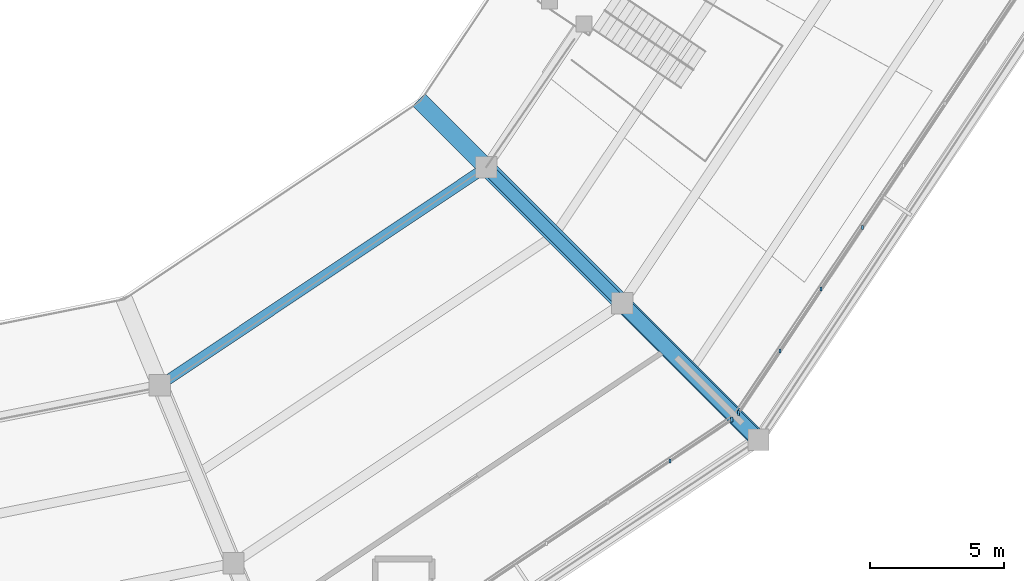
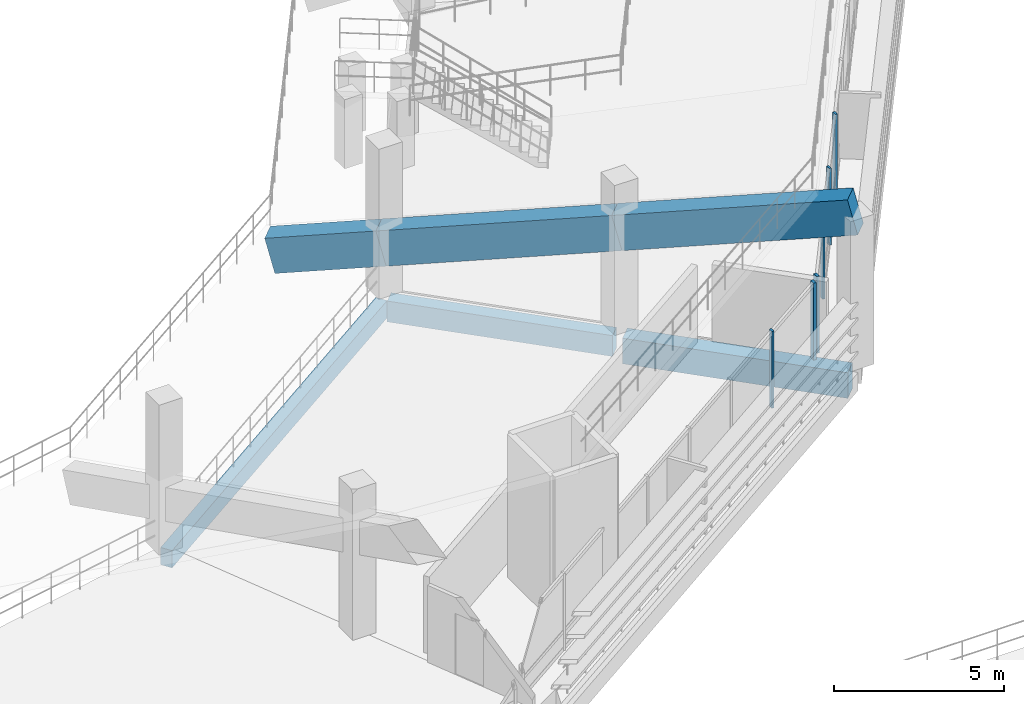
# One storey, part 31 of 96: 6 beams, 6 members, 2 elements without a shape of their own.
"""IFC4 building model written with IfcOpenShell, lengths in metres."""

from ifc_helpers import new_model, si_unit, direction, frame, origin, origin_2d, place, context, subcontext, project, spatial, rectangle, extrude, material, material_profile, profile_set, type_object, element, aggregate, save


model = new_model("IFC4")

# Units and contexts
model_context = context("Model", 3, precision=1e-05, world=origin(), true_north=direction((0.0, 1.0)))
body_context = subcontext(model_context, "Body", "Model", "MODEL_VIEW")
ifc_project = project(units=[si_unit("LENGTHUNIT", "METRE"), si_unit("AREAUNIT", "SQUARE_METRE"), si_unit("VOLUMEUNIT", "CUBIC_METRE"), si_unit("PLANEANGLEUNIT", "RADIAN"), si_unit("MASSUNIT", "GRAM", prefix="KILO")], contexts=[model_context])

# Site, building, storey
site_placement = place(None, origin())
site = spatial("IfcSite", under=ifc_project, at=site_placement, CompositionType="ELEMENT")
building_placement = place(site_placement, origin())
building = spatial("IfcBuilding", under=site, at=building_placement, Name="Candeia Ridge Stadium", CompositionType="ELEMENT")
storey_placement = place(building_placement, frame((0.0, 0.0, 21.60009765625)))
storey = spatial("IfcBuildingStorey", under=building, at=storey_placement, Name="L04", CompositionType="ELEMENT", Elevation=21.60009765625)

# Beam
ifc_material_1 = material(Name="Concrete C45/55", Category="concrete")
ifc_material_profile_1 = material_profile(ifc_material_1, rectangle(XDim=0.449951171875, YDim=0.75, at=origin_2d()), Name="RC450x750", Category="concrete")
ifc_profile_set_1 = profile_set([ifc_material_profile_1], Name="Concrete C45/55")
beam_type_1 = type_object("IfcBeamType", Name="Bowl Radial Girder RC450x750", PredefinedType="BEAM", material=ifc_profile_set_1)
beam_1_placement = place(storey_placement, frame((167.700439453125, 44.299560546875, -0.635009765625), z_axis=(0.707106781187, -0.707106781187, 0.0), x_axis=(0.707106781187, 0.707106781187, 0.0)))
element("IfcBeam", 1, at=beam_1_placement, inside=storey, type_object=beam_type_1, Name="Bowl radial girder BM-L04-0775", PredefinedType="BEAM", context=body_context, shape_type="SweptSolid", body=[
    extrude(rectangle(XDim=0.449951171875, YDim=0.75, at=origin_2d()), origin(), (0.0, 0.0, 1.0), 6.8798828125),
])

# Curtain wall, member
ifc_material_2 = material(Name="Aluminium Anodized Warm Bronze", Category="aluminium")
curtain_wall_type = type_object("IfcCurtainWallType", Name="Concourse Recessed Unitised Curtain Wall", PredefinedType="NOTDEFINED", material=ifc_material_2)
curtain_wall_1_placement = place(storey_placement, origin())
curtain_wall_1 = element("IfcCurtainWall", 2, at=curtain_wall_1_placement, inside=storey, type_object=curtain_wall_type, Name="Unitised curtain wall CW-BWL-L04-26", PredefinedType="NOTDEFINED")
ifc_material_profile_2 = material_profile(ifc_material_2, rectangle(XDim=0.090087890625, YDim=0.179931640625, at=origin_2d()), Name="CWM-90x180", Category="aluminium")
ifc_profile_set_2 = profile_set([ifc_material_profile_2], Name="Aluminium Anodized Warm Bronze")
member_type_1 = type_object("IfcMemberType", Name="Curtain Wall Primary Mullion 90x180", PredefinedType="MULLION", material=ifc_profile_set_2)
member_1_placement = place(storey_placement, frame((176.771484375, 34.97900390625, 0.0), z_axis=(0.0, 0.0, 1.0), x_axis=(1.0, 0.0, 0.0)))
member_1 = element("IfcMember", 3, at=member_1_placement, type_object=member_type_1, Name="Curtain wall mullion CW-BWL-L04-26-M7", PredefinedType="MULLION", context=body_context, shape_type="SweptSolid", body=[
    extrude(rectangle(XDim=0.090087890625, YDim=0.179931640625, at=origin_2d()), origin(), (0.0, 0.0, 1.0), 2.772216796875),
])

curtain_wall_2_placement = place(storey_placement, origin())
curtain_wall_2 = element("IfcCurtainWall", 4, at=curtain_wall_2_placement, inside=storey, type_object=curtain_wall_type, Name="Unitised curtain wall CW-BWL-L04-27", PredefinedType="NOTDEFINED")
member_2_placement = place(storey_placement, frame((177.02099609375, 35.228515625, 0.0), z_axis=(0.0, 0.0, 1.0), x_axis=(1.0, 0.0, 0.0)))
member_2 = element("IfcMember", 5, at=member_2_placement, type_object=member_type_1, Name="Curtain wall mullion CW-BWL-L04-27-M0", PredefinedType="MULLION", context=body_context, shape_type="SweptSolid", body=[
    extrude(rectangle(XDim=0.090087890625, YDim=0.179931640625, at=origin_2d()), origin(), (0.0, 0.0, 1.0), 2.772216796875),
])

# Member
ifc_material_profile_3 = material_profile(ifc_material_2, rectangle(XDim=0.074951171875, YDim=0.14990234375, at=origin_2d()), Name="CWM-75x150", Category="aluminium")
ifc_profile_set_3 = profile_set([ifc_material_profile_3], Name="Aluminium Anodized Warm Bronze")
member_type_2 = type_object("IfcMemberType", Name="Curtain Wall Secondary Mullion 75x150", PredefinedType="MULLION", material=ifc_profile_set_3)
member_3_placement = place(storey_placement, frame((174.459716796875, 33.434326171875, 0.0), z_axis=(0.0, 0.0, 1.0), x_axis=(1.0, 0.0, 0.0)))
member_3 = element("IfcMember", 6, at=member_3_placement, type_object=member_type_2, Name="Curtain wall mullion CW-BWL-L04-26-M6", PredefinedType="MULLION", context=body_context, shape_type="SweptSolid", body=[
    extrude(rectangle(XDim=0.074951171875, YDim=0.14990234375, at=origin_2d()), origin(), (0.0, 0.0, 1.0), 2.772216796875),
])

aggregate(curtain_wall_1, [member_3, member_1])

member_4_placement = place(storey_placement, frame((178.565673828125, 37.540283203125, 0.0), z_axis=(0.0, 0.0, 1.0), x_axis=(1.0, 0.0, 0.0)))
member_4 = element("IfcMember", 7, at=member_4_placement, type_object=member_type_2, Name="Curtain wall mullion CW-BWL-L04-27-M1", PredefinedType="MULLION", context=body_context, shape_type="SweptSolid", body=[
    extrude(rectangle(XDim=0.074951171875, YDim=0.14990234375, at=origin_2d()), origin(), (0.0, 0.0, 1.0), 2.772216796875),
])

member_5_placement = place(storey_placement, frame((180.110107421875, 39.851806640625, 0.0), z_axis=(0.0, 0.0, 1.0), x_axis=(1.0, 0.0, 0.0)))
member_5 = element("IfcMember", 8, at=member_5_placement, type_object=member_type_2, Name="Curtain wall mullion CW-BWL-L04-27-M2", PredefinedType="MULLION", context=body_context, shape_type="SweptSolid", body=[
    extrude(rectangle(XDim=0.074951171875, YDim=0.14990234375, at=origin_2d()), origin(), (0.0, 0.0, 1.0), 2.772216796875),
])

member_6_placement = place(storey_placement, frame((181.65478515625, 42.16357421875, 0.0), z_axis=(0.0, 0.0, 1.0), x_axis=(1.0, 0.0, 0.0)))
member_6 = element("IfcMember", 9, at=member_6_placement, type_object=member_type_2, Name="Curtain wall mullion CW-BWL-L04-27-M3", PredefinedType="MULLION", context=body_context, shape_type="SweptSolid", body=[
    extrude(rectangle(XDim=0.074951171875, YDim=0.14990234375, at=origin_2d()), origin(), (0.0, 0.0, 1.0), 2.772216796875),
])

aggregate(curtain_wall_2, [member_2, member_4, member_5, member_6])

# Beams
ifc_material_3 = material(Name="Concrete C40/50", Category="concrete")
ifc_material_profile_4 = material_profile(ifc_material_3, rectangle(XDim=0.3798828125, YDim=0.6201171875, at=origin_2d()), Name="RC380x620", Category="concrete")
ifc_profile_set_4 = profile_set([ifc_material_profile_4], Name="Concrete C40/50")
beam_type_2 = type_object("IfcBeamType", Name="Frame Girder RC380x620", PredefinedType="BEAM", material=ifc_profile_set_4)
beam_2_placement = place(storey_placement, frame((155.52197265625, 36.35107421875, -0.570068359375), z_axis=(0.831466176057, 0.55557537569, 0.0), x_axis=(-0.55557537569, 0.831466176057, 0.0)))
element("IfcBeam", 10, at=beam_2_placement, inside=storey, type_object=beam_type_2, Name="Bowl inner ring girder BM-L04-0913", PredefinedType="BEAM", context=body_context, shape_type="SweptSolid", body=[
    extrude(rectangle(XDim=0.3798828125, YDim=0.6201171875, at=origin_2d()), origin(), (0.0, 0.0, 1.0), 14.350830078125),
])
ifc_material_profile_5 = material_profile(ifc_material_1, rectangle(XDim=0.550048828125, YDim=0.919921875, at=origin_2d()), Name="RC550x920", Category="concrete")
ifc_profile_set_5 = profile_set([ifc_material_profile_5], Name="Concrete C45/55")
beam_type_3 = type_object("IfcBeamType", Name="Frame Girder RC550x920", PredefinedType="BEAM", material=ifc_profile_set_5)
beam_3_placement = place(storey_placement, frame((172.79150390625, 39.20849609375, -0.72021484375), z_axis=(0.707106781187, -0.707106781187, 0.0), x_axis=(0.707106781187, 0.707106781187, 0.0)))
element("IfcBeam", 11, at=beam_3_placement, inside=storey, type_object=beam_type_3, Name="Bowl radial girder BM-L04-0776", PredefinedType="BEAM", context=body_context, shape_type="SweptSolid", body=[
    extrude(rectangle(XDim=0.550048828125, YDim=0.919921875, at=origin_2d()), origin(), (0.0, 0.0, 1.0), 6.880126953125),
])
ifc_material_profile_6 = material_profile(ifc_material_1, rectangle(XDim=0.64990234375, YDim=1.25, at=origin_2d()), Name="RC650x1250", Category="concrete")
ifc_profile_set_6 = profile_set([ifc_material_profile_6], Name="Concrete C45/55")
beam_type_4 = type_object("IfcBeamType", Name="Stand Raker Beam RC650x1250", PredefinedType="USERDEFINED", material=ifc_profile_set_6)
beam_4_placement = place(storey_placement, frame((167.587158203125, 44.412841796875, 1.66796875), z_axis=(0.684539585554, -0.684539585554, 0.250621450835), x_axis=(0.707106781187, 0.707106781187, 0.0)))
element("IfcBeam", 12, at=beam_4_placement, inside=storey, type_object=beam_type_4, Name="Stand T3 inner raker beam 28", ObjectType="RAKER", PredefinedType="USERDEFINED", context=body_context, shape_type="SweptSolid", body=[
    extrude(rectangle(XDim=0.64990234375, YDim=1.25, at=origin_2d()), origin(), (0.0, 0.0, 1.0), 7.4375),
])
beam_5_placement = place(storey_placement, frame((172.678466796875, 39.321533203125, 3.531982421875), z_axis=(0.684526258394, -0.684526258394, 0.250694242332), x_axis=(0.707106781187, 0.707106781187, 0.0)))
element("IfcBeam", 13, at=beam_5_placement, inside=storey, type_object=beam_type_4, Name="Stand T3 outer raker beam 28", ObjectType="RAKER", PredefinedType="USERDEFINED", context=body_context, shape_type="SweptSolid", body=[
    extrude(rectangle(XDim=0.64990234375, YDim=1.25, at=origin_2d()), origin(), (0.0, 0.0, 1.0), 7.437255859375),
])
beam_6_placement = place(storey_placement, frame((165.18310546875, 46.81689453125, 0.78759765625), z_axis=(0.684529473924, -0.684529473924, 0.250676681524), x_axis=(0.707106781187, 0.707106781187, 0.0)))
element("IfcBeam", 14, at=beam_6_placement, inside=storey, type_object=beam_type_4, Name="Stand T3 cantilever raker beam 28", ObjectType="RAKER", PredefinedType="USERDEFINED", context=body_context, shape_type="SweptSolid", body=[
    extrude(rectangle(XDim=0.64990234375, YDim=1.25, at=origin_2d()), origin(), (0.0, 0.0, 1.0), 3.511962890625),
])

save(model, "model.ifc")
